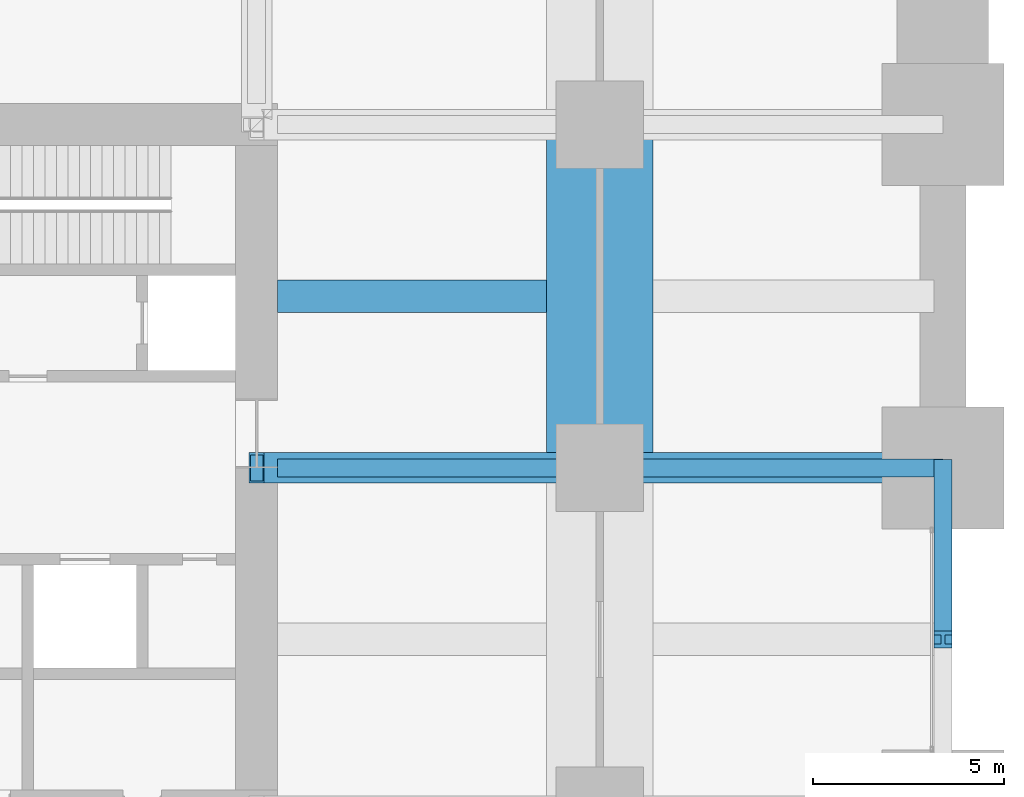
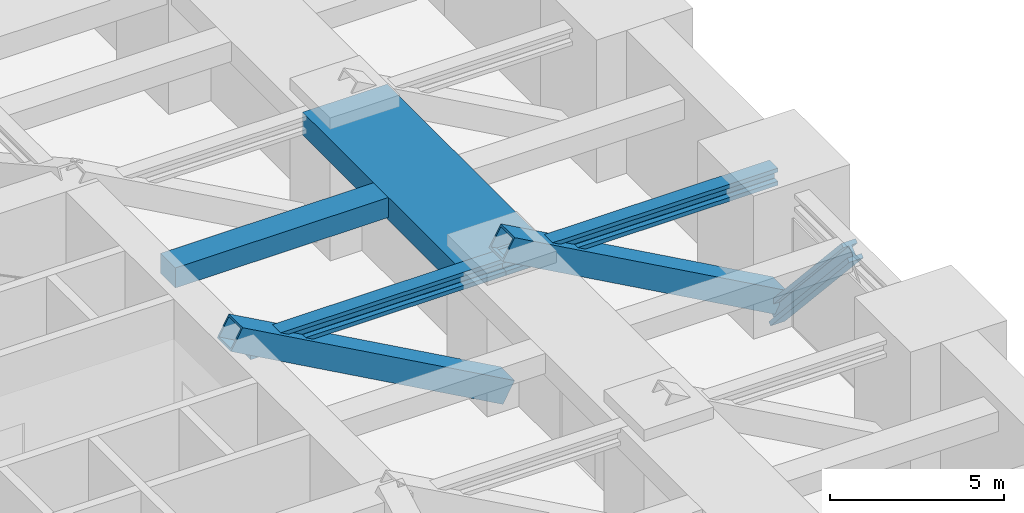
# One storey, part 18 of 35: 4 beams, 3 members.
"""IFC4 building model written with IfcOpenShell, lengths in metres."""

from ifc_helpers import new_model, si_unit, direction, frame, origin, origin_2d, place, context, subcontext, project, spatial, rectangle, hollow_rectangle, i_section, extrude, material, material_profile, profile_set, type_object, element, save


model = new_model("IFC4")

# Units and contexts
model_context = context("Model", 3, precision=1e-05, world=origin(), true_north=direction((0.0, 1.0)))
body_context = subcontext(model_context, "Body", "Model", "MODEL_VIEW")
ifc_project = project(units=[si_unit("LENGTHUNIT", "METRE"), si_unit("AREAUNIT", "SQUARE_METRE"), si_unit("VOLUMEUNIT", "CUBIC_METRE"), si_unit("PLANEANGLEUNIT", "RADIAN"), si_unit("MASSUNIT", "GRAM", prefix="KILO")], contexts=[model_context])

# Site, building, storey
site_placement = place(None, origin())
site = spatial("IfcSite", under=ifc_project, at=site_placement, CompositionType="ELEMENT")
building_placement = place(site_placement, origin())
building = spatial("IfcBuilding", under=site, at=building_placement, Name="Zorevar Civic Tower", CompositionType="ELEMENT")
storey_placement = place(building_placement, frame((0.0, 0.0, 80.0)))
storey = spatial("IfcBuildingStorey", under=building, at=storey_placement, Name="L19", CompositionType="ELEMENT", Elevation=80.0)

# Beams
ifc_material_1 = material(Name="Concrete C50/60", Category="concrete")
ifc_material_profile_1 = material_profile(ifc_material_1, rectangle(XDim=2.800048828125, YDim=0.800048828125, at=origin_2d()), Name="RC 2800x800")
ifc_profile_set_1 = profile_set([ifc_material_profile_1], Name="Concrete C50/60")
beam_type_1 = type_object("IfcBeamType", Name="Beam RC 2800x800", PredefinedType="BEAM", material=ifc_profile_set_1)
beam_1_placement = place(storey_placement, frame((54.0, 27.0, 4.199951171875), z_axis=(0.0, 1.0, 0.0), x_axis=(-1.0, 0.0, 0.0)))
element("IfcBeam", 1, at=beam_1_placement, inside=storey, type_object=beam_type_1, Name="Girder L20", PredefinedType="BEAM", context=body_context, shape_type="SweptSolid", body=[
    extrude(rectangle(XDim=2.800048828125, YDim=0.800048828125, at=origin_2d()), origin(), (0.0, 0.0, 1.0), 9.0),
])
ifc_material_2 = material(Name="Concrete C50/60", Category="concrete")
ifc_material_profile_2 = material_profile(ifc_material_2, rectangle(XDim=0.85009765625, YDim=0.699951171875, at=origin_2d()), Name="RC 850x700")
ifc_profile_set_2 = profile_set([ifc_material_profile_2], Name="Concrete C50/60")
beam_type_2 = type_object("IfcBeamType", Name="Beam RC 850x700", PredefinedType="BEAM", material=ifc_profile_set_2)
beam_2_placement = place(storey_placement, frame((45.550048828125, 31.5, 4.25), z_axis=(1.0, 0.0, 0.0), x_axis=(0.0, 1.0, 0.0)))
element("IfcBeam", 2, at=beam_2_placement, inside=storey, type_object=beam_type_2, Name="Secondary beam L20", PredefinedType="BEAM", context=body_context, shape_type="SweptSolid", body=[
    extrude(rectangle(XDim=0.85009765625, YDim=0.699951171875, at=origin_2d()), origin(), (0.0, 0.0, 1.0), 7.050048828125),
])

# Member
ifc_material_3 = material(Name="Steel S460M (HISTAR 460)", Category="steel")
ifc_material_profile_3 = material_profile(ifc_material_3, i_section(OverallWidth=0.47607421875, OverallDepth=0.60009765625, WebThickness=0.10009765625, FlangeThickness=0.139892578125, FilletRadius=0.014892578125, at=origin_2d()), Name="HD 400x1299")
ifc_profile_set_3 = profile_set([ifc_material_profile_3], Name="Steel S460M (HISTAR 460)")
member_type_1 = type_object("IfcMemberType", Name="Belt strut HD 400x1299", PredefinedType="BRACE", material=ifc_profile_set_3)
member_placement = place(storey_placement, frame((63.0, 27.0, -0.64990234375), z_axis=(0.0, -0.672676426978, 0.739936770669), x_axis=(1.0, 0.0, 0.0)))
element("IfcMember", 3, at=member_placement, inside=storey, type_object=member_type_1, Name="Belt strut E L19", PredefinedType="BRACE", context=body_context, shape_type="SweptSolid", body=[
    extrude(i_section(OverallWidth=0.47607421875, OverallDepth=0.60009765625, WebThickness=0.10009765625, FlangeThickness=0.139892578125, FilletRadius=0.014892578125, at=origin_2d()), origin(), (0.0, 0.0, 1.0), 6.689697265625),
])

# Beams
ifc_material_4 = material(Name="Steel S460M (HISTAR 460)", Category="steel")
ifc_material_profile_4 = material_profile(ifc_material_4, i_section(OverallWidth=0.47607421875, OverallDepth=0.60009765625, WebThickness=0.10009765625, FlangeThickness=0.139892578125, FilletRadius=0.014892578125, at=origin_2d()), Name="HD 400x1299")
ifc_profile_set_4 = profile_set([ifc_material_profile_4], Name="Steel S460M (HISTAR 460)")
beam_type_3 = type_object("IfcBeamType", Name="Outrigger chord HD 400x1299", PredefinedType="BEAM", material=ifc_profile_set_4)
beam_3_placement = place(storey_placement, frame((45.550048828125, 27.0, 4.300048828125), z_axis=(1.0, 0.0, 0.0), x_axis=(0.0, 1.0, 0.0)))
element("IfcBeam", 4, at=beam_3_placement, inside=storey, type_object=beam_type_3, Name="Outrigger chord L20", PredefinedType="BEAM", context=body_context, shape_type="SweptSolid", body=[
    extrude(i_section(OverallWidth=0.47607421875, OverallDepth=0.60009765625, WebThickness=0.10009765625, FlangeThickness=0.139892578125, FilletRadius=0.014892578125, at=origin_2d()), origin(), (0.0, 0.0, 1.0), 8.449951171875),
])
beam_4_placement = place(storey_placement, frame((54.0, 27.0, 4.300048828125), z_axis=(1.0, 0.0, 0.0), x_axis=(0.0, 1.0, 0.0)))
element("IfcBeam", 5, at=beam_4_placement, inside=storey, type_object=beam_type_3, Name="Outrigger chord L20", PredefinedType="BEAM", context=body_context, shape_type="SweptSolid", body=[
    extrude(i_section(OverallWidth=0.47607421875, OverallDepth=0.60009765625, WebThickness=0.10009765625, FlangeThickness=0.139892578125, FilletRadius=0.014892578125, at=origin_2d()), origin(), (0.0, 0.0, 1.0), 9.0),
])

# Members
ifc_material_5 = material(Name="Steel S460M (HISTAR 460)", Category="steel")
ifc_material_profile_5 = material_profile(ifc_material_5, hollow_rectangle(XDim=0.800048828125, YDim=0.800048828125, WallThickness=0.06005859375, at=origin_2d()), Name="BOX 800x800x60")
ifc_profile_set_5 = profile_set([ifc_material_profile_5], Name="Steel S460M (HISTAR 460)")
member_type_2 = type_object("IfcMemberType", Name="Outrigger diagonal BOX 800x800x60", PredefinedType="BRACE", material=ifc_profile_set_5)
for number, where, z_axis, x_axis, name in (
    (6, (45.0, 27.0, 5.0), (0.874157276122, 0.0, -0.485642931179), (0.0, 1.0, 0.0), "Outrigger diagonal E L19"),
    (7, (54.0, 27.0, 5.0), (0.874157276122, 0.0, -0.485642931179), (0.0, 1.0, 0.0), "Outrigger diagonal E L19"),
):
    element("IfcMember", number, at=place(storey_placement, frame(where, z_axis=z_axis, x_axis=x_axis)), inside=storey, type_object=member_type_2, Name=name, PredefinedType="BRACE", context=body_context, shape_type="SweptSolid", body=[
        extrude(hollow_rectangle(XDim=0.800048828125, YDim=0.800048828125, WallThickness=0.06005859375, at=origin_2d()), origin(), (0.0, 0.0, 1.0), 10.295654296875),
    ])

save(model, "model.ifc")
